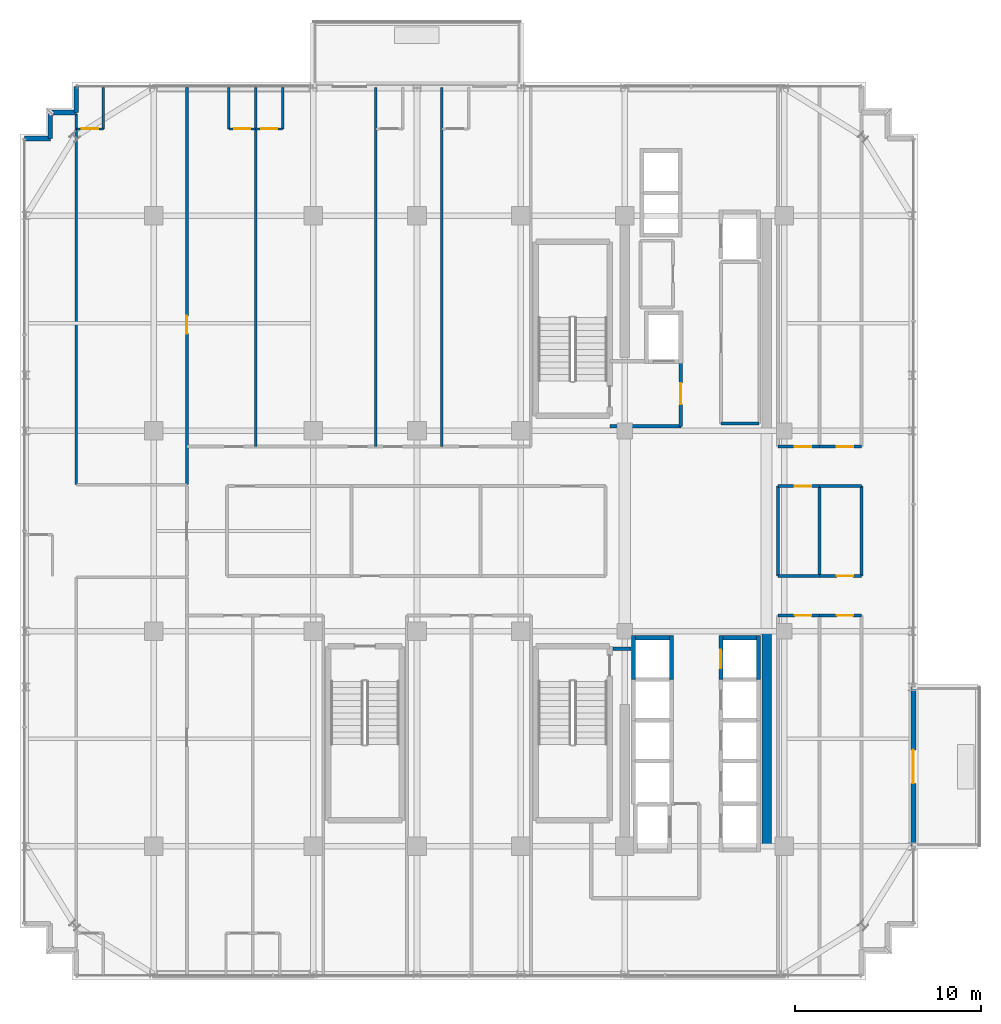
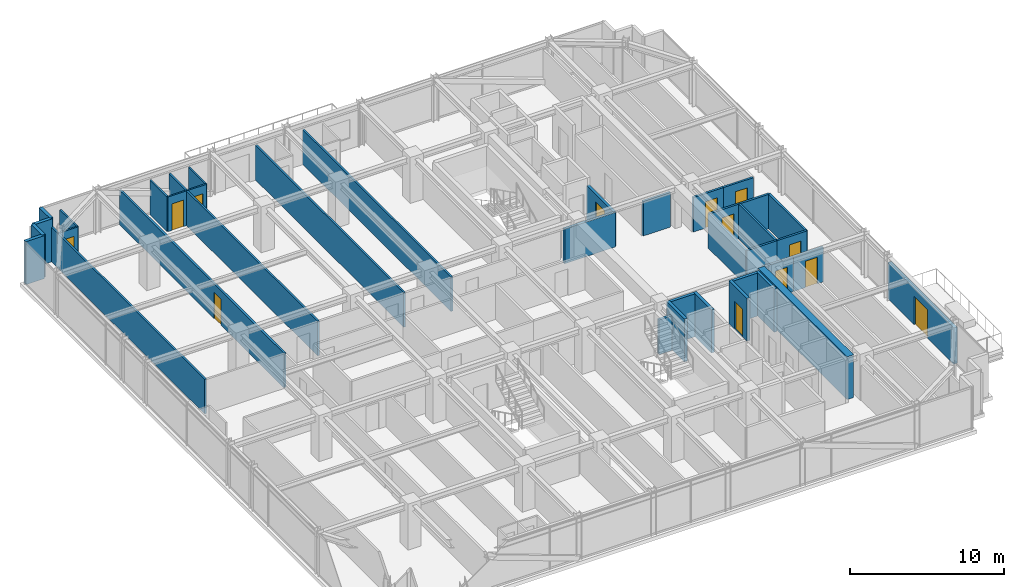
# One storey, part 38 of 43: 38 walls, 13 doors, 13 openings.
"""IFC4 building model written with IfcOpenShell, lengths in metres."""

from ifc_helpers import new_model, si_unit, direction, frame, frame_2d, origin, place, context, subcontext, project, spatial, rectangle, extrude, source, transform, mapped, material, layer, layer_set, type_object, element, fill, save


model = new_model("IFC4")

# Units and contexts
model_context = context("Model", 3, precision=1e-05, world=origin(), true_north=direction((0.0, 1.0)))
body_context = subcontext(model_context, "Body", "Model", "MODEL_VIEW")
ifc_project = project(units=[si_unit("LENGTHUNIT", "METRE"), si_unit("AREAUNIT", "SQUARE_METRE"), si_unit("VOLUMEUNIT", "CUBIC_METRE"), si_unit("PLANEANGLEUNIT", "RADIAN"), si_unit("MASSUNIT", "GRAM", prefix="KILO")], contexts=[model_context])

# Site, building, storey
site_placement = place(None, origin())
site = spatial("IfcSite", under=ifc_project, at=site_placement, CompositionType="ELEMENT")
building_placement = place(site_placement, origin())
building = spatial("IfcBuilding", under=site, at=building_placement, Name="Nahalor Promenade Grand Hotel", CompositionType="ELEMENT")
storey_placement = place(building_placement, frame((0.0, 0.0, 204.89990234375)))
storey = spatial("IfcBuildingStorey", under=building, at=storey_placement, Name="L52", CompositionType="ELEMENT", Elevation=204.89990234375)

# Wall
ifc_material_1 = material(Name="Concrete B-60 (C50/60)", Category="concrete")
ifc_layer_1 = layer(ifc_material_1, 0.5)
ifc_layer_set_1 = layer_set([ifc_layer_1], Name="Concrete B-60 (C50/60)")
wall_type_1 = type_object("IfcWallType", Name="Wall-CoreShear-500", PredefinedType="SHEAR", material=ifc_layer_set_1)
shared_shape_1 = source(origin(), body_context, "Body", "SweptSolid", [
    extrude(rectangle(XDim=11.60009765625, YDim=0.5, at=frame_2d((5.800048828125, 0.0))), origin(), (0.0, 0.0, 1.0), 3.41015625),
])
wall_1_placement = place(storey_placement, frame((16.050048828125, -17.0, 0.0), z_axis=(0.0, 0.0, 1.0), x_axis=(0.0, 1.0, 0.0)))
element("IfcWall", 1, at=wall_1_placement, inside=storey, type_object=wall_type_1, Name="CWALL-L52-SE", PredefinedType="SHEAR", context=body_context, shape_type="MappedRepresentation", body=[
    mapped(shared_shape_1, transform((0.0, 0.0, 0.0), scale=1.0)),
])

# Wall, opening, door
ifc_material_2 = material(Name="Concrete B-50 (C40/50)", Category="concrete")
ifc_layer_2 = layer(ifc_material_2, 0.219970703125)
ifc_layer_set_2 = layer_set([ifc_layer_2], Name="Concrete B-50 (C40/50)")
wall_type_2 = type_object("IfcWallType", Name="Wall-LiftShaft-220", PredefinedType="SHEAR", material=ifc_layer_set_2)
shared_shape_2 = source(origin(), body_context, "Body", "SweptSolid", [
    extrude(rectangle(XDim=2.360107421875, YDim=0.219970703125, at=frame_2d((1.18017578125, 0.0))), origin(), (0.0, 0.0, 1.0), 3.41015625),
])
wall_2_placement = place(storey_placement, frame((13.580078125, -8.0, 0.0), z_axis=(0.0, 0.0, 1.0), x_axis=(0.0, 1.0, 0.0)))
wall_2 = element("IfcWall", 2, at=wall_2_placement, inside=storey, type_object=wall_type_2, Name="L52 Lift PL5 Hoistway Wall W", PredefinedType="SHEAR", context=body_context, shape_type="MappedRepresentation", body=[
    mapped(shared_shape_2, transform((0.0, 0.0, 0.0), scale=1.0)),
])
opening_1_placement = place(wall_2_placement, frame((0.60009765625, 0.0, 0.0)))
opening_1 = element("IfcOpeningElement", 3, at=opening_1_placement, cuts=wall_2, Name="Opening LD-01", PredefinedType="OPENING", context=body_context, shape_type="SweptSolid", body=[
    extrude(rectangle(XDim=1.0, YDim=2.199951171875, at=frame_2d((0.5, 1.10009765625))), frame((0.0, 0.119873046875, 0.0), z_axis=(0.0, -1.0, 0.0), x_axis=(1.0, 0.0, 0.0)), (0.0, 0.0, 1.0), 0.239990234375),
])
ifc_material_3 = material(Name="Steel S355JR", Category="steel")
door_type_1 = type_object("IfcDoorType", Name="Door-LiftLanding-1000", OperationType="DOUBLE_DOOR_SLIDING", PredefinedType="DOOR", material=ifc_material_3)
shared_shape_3 = source(origin(), body_context, "Body", "SweptSolid", [
    extrude(rectangle(XDim=1.0, YDim=2.199951171875, at=frame_2d((0.5, 1.10009765625))), frame((0.0, 0.02490234375, 0.0), z_axis=(0.0, -1.0, 0.0), x_axis=(1.0, 0.0, 0.0)), (0.0, 0.0, 1.0), 0.050048828125),
])
door_1_placement = place(opening_1_placement, origin())
door_1 = element("IfcDoor", 4, at=door_1_placement, inside=storey, type_object=door_type_1, Name="DR-LIFT-PL5-L52", OperationType="DOUBLE_DOOR_SLIDING", OverallHeight=2.199951171875, OverallWidth=1.0, PredefinedType="DOOR", context=body_context, shape_type="MappedRepresentation", body=[
    mapped(shared_shape_3, transform((0.0, 0.0, 0.0), scale=1.0)),
])
fill(opening_1, door_1)

# Walls
for number, where, z_axis, x_axis, name in (
    (5, (15.6201171875, -8.0, 0.0), (0.0, 0.0, 1.0), (0.0, 1.0, 0.0), "L52 Lift PL5 Hoistway Wall E"),
    (6, (8.8798828125, -8.0, 0.0), (0.0, 0.0, 1.0), (0.0, 1.0, 0.0), "L52 Lift PL9 Hoistway Wall W"),
    (7, (10.919921875, -8.0, 0.0), (0.0, 0.0, 1.0), (0.0, 1.0, 0.0), "L52 Lift PL9 Hoistway Wall E"),
):
    element("IfcWall", number, at=place(storey_placement, frame(where, z_axis=z_axis, x_axis=x_axis)), inside=storey, type_object=wall_type_2, Name=name, PredefinedType="SHEAR", context=body_context, shape_type="MappedRepresentation", body=[
        mapped(shared_shape_2, transform((0.0, 0.0, 0.0), scale=1.0)),
    ])
shared_shape_4 = source(origin(), body_context, "Body", "SweptSolid", [
    extrude(rectangle(XDim=1.820068359375, YDim=0.219970703125, at=frame_2d((0.91015625, 0.0))), origin(), (0.0, 0.0, 1.0), 3.41015625),
])
for number, where, z_axis, x_axis, name in (
    (8, (13.68994140625, -5.75, 0.0), (0.0, 0.0, 1.0), (1.0, 0.0, 0.0), "L52 Lift PL5 Hoistway Wall N"),
    (9, (8.989990234375, -5.75, 0.0), (0.0, 0.0, 1.0), (1.0, 0.0, 0.0), "L52 Lift PL9 Hoistway Wall N"),
):
    element("IfcWall", number, at=place(storey_placement, frame(where, z_axis=z_axis, x_axis=x_axis)), inside=storey, type_object=wall_type_2, Name=name, PredefinedType="SHEAR", context=body_context, shape_type="MappedRepresentation", body=[
        mapped(shared_shape_4, transform((0.0, 0.0, 0.0), scale=1.0)),
    ])
ifc_material_4 = material(Name="Concrete B-40 (C32/40)", Category="concrete")
ifc_layer_3 = layer(ifc_material_4, 0.25)
ifc_layer_set_3 = layer_set([ifc_layer_3], Name="Concrete B-40 (C32/40)")
wall_type_3 = type_object("IfcWallType", Name="Wall-BronzePier-250", PredefinedType="STANDARD", material=ifc_layer_set_3)
shared_shape_5 = source(origin(), body_context, "Body", "SweptSolid", [
    extrude(rectangle(XDim=1.39990234375, YDim=0.25, at=frame_2d((0.699951171875, 0.0))), origin(), (0.0, 0.0, 1.0), 3.41015625),
])
for number, where, z_axis, x_axis, name in (
    (10, (-21.159912109375, 22.56005859375, 0.0), (0.0, 0.0, 1.0), (0.0, 1.0, 0.0), "W-L52-SR-09"),
    (11, (-23.9599609375, 21.159912109375, 0.0), (0.0, 0.0, 1.0), (1.0, 0.0, 0.0), "W-L52-SR-12"),
):
    element("IfcWall", number, at=place(storey_placement, frame(where, z_axis=z_axis, x_axis=x_axis)), inside=storey, type_object=wall_type_3, Name=name, PredefinedType="STANDARD", context=body_context, shape_type="MappedRepresentation", body=[
        mapped(shared_shape_5, transform((0.0, 0.0, 0.0), scale=1.0)),
    ])
shared_shape_6 = source(origin(), body_context, "Body", "SweptSolid", [
    extrude(rectangle(XDim=1.400146484375, YDim=0.25, at=frame_2d((0.7001953125, 0.0))), origin(), (0.0, 0.0, 1.0), 3.41015625),
])
for number, where, z_axis, x_axis, name in (
    (12, (-22.56005859375, 22.56005859375, 0.0), (0.0, 0.0, 1.0), (1.0, 0.0, 0.0), "W-L52-SR-10"),
    (13, (-22.56005859375, 21.159912109375, 0.0), (0.0, 0.0, 1.0), (0.0, 1.0, 0.0), "W-L52-SR-11"),
):
    element("IfcWall", number, at=place(storey_placement, frame(where, z_axis=z_axis, x_axis=x_axis)), inside=storey, type_object=wall_type_3, Name=name, PredefinedType="STANDARD", context=body_context, shape_type="MappedRepresentation", body=[
        mapped(shared_shape_6, transform((0.0, 0.0, 0.0), scale=1.0)),
    ])

# Wall, opening, door
ifc_layer_4 = layer(ifc_material_4, 0.260009765625)
ifc_layer_set_4 = layer_set([ifc_layer_4], Name="Concrete B-40 (C32/40)")
wall_type_4 = type_object("IfcWallType", Name="Wall-BalconyWall-260", PredefinedType="STANDARD", material=ifc_layer_set_4)
shared_shape_7 = source(origin(), body_context, "Body", "SweptSolid", [
    extrude(rectangle(XDim=8.60009765625, YDim=0.260009765625, at=frame_2d((4.300048828125, 0.0))), origin(), (0.0, 0.0, 1.0), 2.89013671875),
])
wall_3_placement = place(storey_placement, frame((23.9599609375, -17.0, 0.0), z_axis=(0.0, 0.0, 1.0), x_axis=(0.0, 1.0, 0.0)))
wall_3 = element("IfcWall", 14, at=wall_3_placement, inside=storey, type_object=wall_type_4, Name="W-L52-BALC-E-2", PredefinedType="STANDARD", context=body_context, shape_type="MappedRepresentation", body=[
    mapped(shared_shape_7, transform((0.0, 0.0, 0.0), scale=1.0)),
])
opening_2_placement = place(wall_3_placement, frame((3.39990234375, 0.0, 0.0)))
opening_2 = element("IfcOpeningElement", 15, at=opening_2_placement, cuts=wall_3, Name="Opening D-BC1", PredefinedType="OPENING", context=body_context, shape_type="SweptSolid", body=[
    extrude(rectangle(XDim=1.800048828125, YDim=2.25, at=frame_2d((0.89990234375, 1.125))), frame((0.0, 0.139892578125, 0.0), z_axis=(0.0, -1.0, 0.0), x_axis=(1.0, 0.0, 0.0)), (0.0, 0.0, 1.0), 0.280029296875),
])
ifc_material_5 = material(Name="Anodised Bronze Aluminium EN AW-6063 T6", Category="aluminium")
door_type_2 = type_object("IfcDoorType", Name="Door-BalconySlide-1800", OperationType="DOUBLE_DOOR_SLIDING", PredefinedType="DOOR", material=ifc_material_5)
shared_shape_8 = source(origin(), body_context, "Body", "SweptSolid", [
    extrude(rectangle(XDim=1.800048828125, YDim=2.25, at=frame_2d((0.89990234375, 1.125))), frame((0.0, 0.02490234375, 0.0), z_axis=(0.0, -1.0, 0.0), x_axis=(1.0, 0.0, 0.0)), (0.0, 0.0, 1.0), 0.050048828125),
])
door_2_placement = place(opening_2_placement, frame((1.800048828125, 0.0, 0.0), z_axis=(0.0, 0.0, 1.0), x_axis=(-1.0, 0.0, 0.0)))
door_2 = element("IfcDoor", 16, at=door_2_placement, inside=storey, type_object=door_type_2, Name="DR-L52-BALC-E-2", OperationType="DOUBLE_DOOR_SLIDING", OverallHeight=2.25, OverallWidth=1.800048828125, PredefinedType="DOOR", context=body_context, shape_type="MappedRepresentation", body=[
    mapped(shared_shape_8, transform((0.0, 0.0, 0.0), scale=1.0)),
])
fill(opening_2, door_2)

# Wall
ifc_layer_5 = layer(ifc_material_4, 0.199951171875)
ifc_layer_set_5 = layer_set([ifc_layer_5], Name="Concrete B-40 (C32/40)")
wall_type_5 = type_object("IfcWallType", Name="Wall-PartFire-200", PredefinedType="PARTITIONING", material=ifc_layer_set_5)
shared_shape_9 = source(origin(), body_context, "Body", "SweptSolid", [
    extrude(rectangle(XDim=3.81982421875, YDim=0.199951171875, at=frame_2d((1.909912109375, 0.0))), origin(), (0.0, 0.0, 1.0), 2.75),
])
wall_4_placement = place(storey_placement, frame((7.60009765625, 5.64990234375, 0.0), z_axis=(0.0, 0.0, 1.0), x_axis=(1.0, 0.0, 0.0)))
element("IfcWall", 17, at=wall_4_placement, inside=storey, type_object=wall_type_5, Name="W-L52-FF1-S", PredefinedType="PARTITIONING", context=body_context, shape_type="MappedRepresentation", body=[
    mapped(shared_shape_9, transform((0.0, 0.0, 0.0), scale=1.0)),
])

# Wall, opening, door
shared_shape_10 = source(origin(), body_context, "Body", "SweptSolid", [
    extrude(rectangle(XDim=3.5, YDim=0.199951171875, at=frame_2d((1.75, 0.0))), origin(), (0.0, 0.0, 1.0), 2.75),
])
wall_5_placement = place(storey_placement, frame((11.419921875, 5.64990234375, 0.0), z_axis=(0.0, 0.0, 1.0), x_axis=(0.0, 1.0, 0.0)))
wall_5 = element("IfcWall", 18, at=wall_5_placement, inside=storey, type_object=wall_type_5, Name="W-L52-FF1-E", PredefinedType="PARTITIONING", context=body_context, shape_type="MappedRepresentation", body=[
    mapped(shared_shape_10, transform((0.0, 0.0, 0.0), scale=1.0)),
])
opening_3_placement = place(wall_5_placement, frame((1.175048828125, 0.0, 0.0)))
opening_3 = element("IfcOpeningElement", 19, at=opening_3_placement, cuts=wall_5, Name="Opening D-FF1", PredefinedType="OPENING", context=body_context, shape_type="SweptSolid", body=[
    extrude(rectangle(XDim=1.14990234375, YDim=2.14990234375, at=frame_2d((0.574951171875, 1.074951171875))), frame((0.0, 0.10986328125, 0.0), z_axis=(0.0, -1.0, 0.0), x_axis=(1.0, 0.0, 0.0)), (0.0, 0.0, 1.0), 0.219970703125),
])
door_type_3 = type_object("IfcDoorType", Name="Door-FFLobby-1150", OperationType="NOTDEFINED", PredefinedType="DOOR", material=ifc_material_3)
shared_shape_11 = source(origin(), body_context, "Body", "SweptSolid", [
    extrude(rectangle(XDim=1.14990234375, YDim=2.14990234375, at=frame_2d((0.574951171875, 1.074951171875))), frame((0.0, 0.02490234375, 0.0), z_axis=(0.0, -1.0, 0.0), x_axis=(1.0, 0.0, 0.0)), (0.0, 0.0, 1.0), 0.050048828125),
])
door_3_placement = place(opening_3_placement, frame((1.14990234375, 0.0, 0.0), z_axis=(0.0, 0.0, 1.0), x_axis=(-1.0, 0.0, 0.0)))
door_3 = element("IfcDoor", 20, at=door_3_placement, inside=storey, type_object=door_type_3, Name="DR-L52-FFL1", OperationType="SINGLE_SWING_RIGHT", OverallHeight=2.14990234375, OverallWidth=1.14990234375, PredefinedType="DOOR", context=body_context, shape_type="MappedRepresentation", body=[
    mapped(shared_shape_11, transform((0.0, 0.0, 0.0), scale=1.0)),
])
fill(opening_3, door_3)

# Walls
shared_shape_12 = source(origin(), body_context, "Body", "SweptSolid", [
    extrude(rectangle(XDim=0.969970703125, YDim=0.199951171875, at=frame_2d((0.48486328125, 0.0))), origin(), (0.0, 0.0, 1.0), 2.75),
])
wall_6_placement = place(storey_placement, frame((7.77001953125, -6.35009765625, 0.0), z_axis=(0.0, 0.0, 1.0), x_axis=(1.0, 0.0, 0.0)))
element("IfcWall", 21, at=wall_6_placement, inside=storey, type_object=wall_type_5, Name="W-L52-FF2-N2", PredefinedType="PARTITIONING", context=body_context, shape_type="MappedRepresentation", body=[
    mapped(shared_shape_12, transform((0.0, 0.0, 0.0), scale=1.0)),
])
ifc_material_6 = material(Name="Acoustic Mineral Gypsum", Category="gypsum")
ifc_layer_6 = layer(ifc_material_6, 0.159912109375)
ifc_layer_set_6 = layer_set([ifc_layer_6], Name="Acoustic Mineral Gypsum")
wall_type_6 = type_object("IfcWallType", Name="Wall-PartCorridor-160", PredefinedType="PARTITIONING", material=ifc_layer_set_6)
shared_shape_13 = source(origin(), body_context, "Body", "SweptSolid", [
    extrude(rectangle(XDim=2.0498046875, YDim=0.159912109375, at=frame_2d((1.02490234375, 0.0))), origin(), (0.0, 0.0, 1.0), 2.75),
])
wall_7_placement = place(storey_placement, frame((13.60009765625, 5.800048828125, 0.0), z_axis=(0.0, 0.0, 1.0), x_axis=(1.0, 0.0, 0.0)))
element("IfcWall", 22, at=wall_7_placement, inside=storey, type_object=wall_type_6, Name="W-L52-FRB1-S", PredefinedType="PARTITIONING", context=body_context, shape_type="MappedRepresentation", body=[
    mapped(shared_shape_13, transform((0.0, 0.0, 0.0), scale=1.0)),
])

# Wall, opening, door
shared_shape_14 = source(origin(), body_context, "Body", "SweptSolid", [
    extrude(rectangle(XDim=2.255126953125, YDim=0.159912109375, at=frame_2d((1.12744140625, 0.0))), origin(), (0.0, 0.0, 1.0), 2.75),
])
wall_8_placement = place(storey_placement, frame((16.64990234375, 4.550048828125, 0.0), z_axis=(0.0, 0.0, 1.0), x_axis=(1.0, 0.0, 0.0)))
wall_8 = element("IfcWall", 23, at=wall_8_placement, inside=storey, type_object=wall_type_6, Name="W-L52-ENE1-S", PredefinedType="PARTITIONING", context=body_context, shape_type="MappedRepresentation", body=[
    mapped(shared_shape_14, transform((0.0, 0.0, 0.0), scale=1.0)),
])
opening_4_placement = place(wall_8_placement, frame((0.924072265625, 0.0, 0.0)))
opening_4 = element("IfcOpeningElement", 24, at=opening_4_placement, cuts=wall_8, Name="Opening D-03", PredefinedType="OPENING", context=body_context, shape_type="SweptSolid", body=[
    extrude(rectangle(XDim=0.8798828125, YDim=2.10009765625, at=frame_2d((0.43994140625, 1.050048828125))), frame((0.0, 0.08984375, 0.0), z_axis=(0.0, -1.0, 0.0), x_axis=(1.0, 0.0, 0.0)), (0.0, 0.0, 1.0), 0.179931640625),
])
ifc_material_7 = material(Name="Fire-Rated Timber Composite", Category="wood")
door_type_4 = type_object("IfcDoorType", Name="Door-BathSwing-880", OperationType="NOTDEFINED", PredefinedType="DOOR", material=ifc_material_7)
shared_shape_15 = source(origin(), body_context, "Body", "SweptSolid", [
    extrude(rectangle(XDim=0.8798828125, YDim=2.10009765625, at=frame_2d((0.43994140625, 1.050048828125))), frame((0.0, 0.02490234375, 0.0), z_axis=(0.0, -1.0, 0.0), x_axis=(1.0, 0.0, 0.0)), (0.0, 0.0, 1.0), 0.050048828125),
])
door_4_placement = place(opening_4_placement, origin())
door_4 = element("IfcDoor", 25, at=door_4_placement, inside=storey, type_object=door_type_4, Name="DR-L52-ENE1", OperationType="SINGLE_SWING_RIGHT", OverallHeight=2.10009765625, OverallWidth=0.8798828125, PredefinedType="DOOR", context=body_context, shape_type="MappedRepresentation", body=[
    mapped(shared_shape_15, transform((0.0, 0.0, 0.0), scale=1.0)),
])
fill(opening_4, door_4)

wall_9_placement = place(storey_placement, frame((16.64990234375, -4.550048828125, 0.0), z_axis=(0.0, 0.0, 1.0), x_axis=(1.0, 0.0, 0.0)))
wall_9 = element("IfcWall", 26, at=wall_9_placement, inside=storey, type_object=wall_type_6, Name="W-L52-ESE1-N", PredefinedType="PARTITIONING", context=body_context, shape_type="MappedRepresentation", body=[
    mapped(shared_shape_14, transform((0.0, 0.0, 0.0), scale=1.0)),
])
opening_5_placement = place(wall_9_placement, frame((0.924072265625, 0.0, 0.0)))
opening_5 = element("IfcOpeningElement", 27, at=opening_5_placement, cuts=wall_9, Name="Opening D-03", PredefinedType="OPENING", context=body_context, shape_type="SweptSolid", body=[
    extrude(rectangle(XDim=0.8798828125, YDim=2.10009765625, at=frame_2d((0.43994140625, 1.050048828125))), frame((0.0, 0.08984375, 0.0), z_axis=(0.0, -1.0, 0.0), x_axis=(1.0, 0.0, 0.0)), (0.0, 0.0, 1.0), 0.179931640625),
])
door_5_placement = place(opening_5_placement, frame((0.8798828125, 0.0, 0.0), z_axis=(0.0, 0.0, 1.0), x_axis=(-1.0, 0.0, 0.0)))
door_5 = element("IfcDoor", 28, at=door_5_placement, inside=storey, type_object=door_type_4, Name="DR-L52-ESE1", OperationType="SINGLE_SWING_RIGHT", OverallHeight=2.10009765625, OverallWidth=0.8798828125, PredefinedType="DOOR", context=body_context, shape_type="MappedRepresentation", body=[
    mapped(shared_shape_15, transform((0.0, 0.0, 0.0), scale=1.0)),
])
fill(opening_5, door_5)

# Wall
wall_10_placement = place(storey_placement, frame((16.64990234375, -2.419921875, 0.0), z_axis=(0.0, 0.0, 1.0), x_axis=(1.0, 0.0, 0.0)))
element("IfcWall", 29, at=wall_10_placement, inside=storey, type_object=wall_type_6, Name="W-L52-ECW1-S", PredefinedType="PARTITIONING", context=body_context, shape_type="MappedRepresentation", body=[
    mapped(shared_shape_14, transform((0.0, 0.0, 0.0), scale=1.0)),
])

# Wall, opening, door
wall_11_placement = place(storey_placement, frame((16.64990234375, 2.419921875, 0.0), z_axis=(0.0, 0.0, 1.0), x_axis=(1.0, 0.0, 0.0)))
wall_11 = element("IfcWall", 30, at=wall_11_placement, inside=storey, type_object=wall_type_6, Name="W-L52-ECW1-N", PredefinedType="PARTITIONING", context=body_context, shape_type="MappedRepresentation", body=[
    mapped(shared_shape_14, transform((0.0, 0.0, 0.0), scale=1.0)),
])
opening_6_placement = place(wall_11_placement, frame((0.924072265625, 0.0, 0.0)))
opening_6 = element("IfcOpeningElement", 31, at=opening_6_placement, cuts=wall_11, Name="Opening D-03", PredefinedType="OPENING", context=body_context, shape_type="SweptSolid", body=[
    extrude(rectangle(XDim=0.8798828125, YDim=2.10009765625, at=frame_2d((0.43994140625, 1.050048828125))), frame((0.0, 0.08984375, 0.0), z_axis=(0.0, -1.0, 0.0), x_axis=(1.0, 0.0, 0.0)), (0.0, 0.0, 1.0), 0.179931640625),
])
door_6_placement = place(opening_6_placement, frame((0.8798828125, 0.0, 0.0), z_axis=(0.0, 0.0, 1.0), x_axis=(-1.0, 0.0, 0.0)))
door_6 = element("IfcDoor", 32, at=door_6_placement, inside=storey, type_object=door_type_4, Name="DR-L52-ECW1", OperationType="SINGLE_SWING_LEFT", OverallHeight=2.10009765625, OverallWidth=0.8798828125, PredefinedType="DOOR", context=body_context, shape_type="MappedRepresentation", body=[
    mapped(shared_shape_15, transform((0.0, 0.0, 0.0), scale=1.0)),
])
fill(opening_6, door_6)

shared_shape_16 = source(origin(), body_context, "Body", "SweptSolid", [
    extrude(rectangle(XDim=2.2548828125, YDim=0.159912109375, at=frame_2d((1.12744140625, 0.0))), origin(), (0.0, 0.0, 1.0), 2.75),
])
wall_12_placement = place(storey_placement, frame((18.905029296875, 4.550048828125, 0.0), z_axis=(0.0, 0.0, 1.0), x_axis=(1.0, 0.0, 0.0)))
wall_12 = element("IfcWall", 33, at=wall_12_placement, inside=storey, type_object=wall_type_6, Name="W-L52-ENE2-S", PredefinedType="PARTITIONING", context=body_context, shape_type="MappedRepresentation", body=[
    mapped(shared_shape_16, transform((0.0, 0.0, 0.0), scale=1.0)),
])
opening_7_placement = place(wall_12_placement, frame((0.924072265625, 0.0, 0.0)))
opening_7 = element("IfcOpeningElement", 34, at=opening_7_placement, cuts=wall_12, Name="Opening D-03", PredefinedType="OPENING", context=body_context, shape_type="SweptSolid", body=[
    extrude(rectangle(XDim=0.8798828125, YDim=2.10009765625, at=frame_2d((0.43994140625, 1.050048828125))), frame((0.0, 0.08984375, 0.0), z_axis=(0.0, -1.0, 0.0), x_axis=(1.0, 0.0, 0.0)), (0.0, 0.0, 1.0), 0.179931640625),
])
door_7_placement = place(opening_7_placement, origin())
door_7 = element("IfcDoor", 35, at=door_7_placement, inside=storey, type_object=door_type_4, Name="DR-L52-ENE2", OperationType="SINGLE_SWING_LEFT", OverallHeight=2.10009765625, OverallWidth=0.8798828125, PredefinedType="DOOR", context=body_context, shape_type="MappedRepresentation", body=[
    mapped(shared_shape_15, transform((0.0, 0.0, 0.0), scale=1.0)),
])
fill(opening_7, door_7)

wall_13_placement = place(storey_placement, frame((18.905029296875, -4.550048828125, 0.0), z_axis=(0.0, 0.0, 1.0), x_axis=(1.0, 0.0, 0.0)))
wall_13 = element("IfcWall", 36, at=wall_13_placement, inside=storey, type_object=wall_type_6, Name="W-L52-ESE2-N", PredefinedType="PARTITIONING", context=body_context, shape_type="MappedRepresentation", body=[
    mapped(shared_shape_16, transform((0.0, 0.0, 0.0), scale=1.0)),
])
opening_8_placement = place(wall_13_placement, frame((0.924072265625, 0.0, 0.0)))
opening_8 = element("IfcOpeningElement", 37, at=opening_8_placement, cuts=wall_13, Name="Opening D-03", PredefinedType="OPENING", context=body_context, shape_type="SweptSolid", body=[
    extrude(rectangle(XDim=0.8798828125, YDim=2.10009765625, at=frame_2d((0.43994140625, 1.050048828125))), frame((0.0, 0.08984375, 0.0), z_axis=(0.0, -1.0, 0.0), x_axis=(1.0, 0.0, 0.0)), (0.0, 0.0, 1.0), 0.179931640625),
])
door_8_placement = place(opening_8_placement, frame((0.8798828125, 0.0, 0.0), z_axis=(0.0, 0.0, 1.0), x_axis=(-1.0, 0.0, 0.0)))
door_8 = element("IfcDoor", 38, at=door_8_placement, inside=storey, type_object=door_type_4, Name="DR-L52-ESE2", OperationType="SINGLE_SWING_LEFT", OverallHeight=2.10009765625, OverallWidth=0.8798828125, PredefinedType="DOOR", context=body_context, shape_type="MappedRepresentation", body=[
    mapped(shared_shape_15, transform((0.0, 0.0, 0.0), scale=1.0)),
])
fill(opening_8, door_8)

wall_14_placement = place(storey_placement, frame((18.905029296875, -2.419921875, 0.0), z_axis=(0.0, 0.0, 1.0), x_axis=(1.0, 0.0, 0.0)))
wall_14 = element("IfcWall", 39, at=wall_14_placement, inside=storey, type_object=wall_type_6, Name="W-L52-ECW2-S", PredefinedType="PARTITIONING", context=body_context, shape_type="MappedRepresentation", body=[
    mapped(shared_shape_16, transform((0.0, 0.0, 0.0), scale=1.0)),
])
opening_9_placement = place(wall_14_placement, frame((0.924072265625, 0.0, 0.0)))
opening_9 = element("IfcOpeningElement", 40, at=opening_9_placement, cuts=wall_14, Name="Opening D-03", PredefinedType="OPENING", context=body_context, shape_type="SweptSolid", body=[
    extrude(rectangle(XDim=0.8798828125, YDim=2.10009765625, at=frame_2d((0.43994140625, 1.050048828125))), frame((0.0, 0.08984375, 0.0), z_axis=(0.0, -1.0, 0.0), x_axis=(1.0, 0.0, 0.0)), (0.0, 0.0, 1.0), 0.179931640625),
])
door_9_placement = place(opening_9_placement, origin())
door_9 = element("IfcDoor", 41, at=door_9_placement, inside=storey, type_object=door_type_4, Name="DR-L52-ECW2", OperationType="SINGLE_SWING_RIGHT", OverallHeight=2.10009765625, OverallWidth=0.8798828125, PredefinedType="DOOR", context=body_context, shape_type="MappedRepresentation", body=[
    mapped(shared_shape_15, transform((0.0, 0.0, 0.0), scale=1.0)),
])
fill(opening_9, door_9)

# Wall
wall_15_placement = place(storey_placement, frame((18.905029296875, 2.419921875, 0.0), z_axis=(0.0, 0.0, 1.0), x_axis=(1.0, 0.0, 0.0)))
element("IfcWall", 42, at=wall_15_placement, inside=storey, type_object=wall_type_6, Name="W-L52-ECW2-N", PredefinedType="PARTITIONING", context=body_context, shape_type="MappedRepresentation", body=[
    mapped(shared_shape_16, transform((0.0, 0.0, 0.0), scale=1.0)),
])

# Wall, opening, door
shared_shape_17 = source(origin(), body_context, "Body", "SweptSolid", [
    extrude(rectangle(XDim=21.39990234375, YDim=0.159912109375, at=frame_2d((10.699951171875, 0.0))), origin(), (0.0, 0.0, 1.0), 2.75),
])
wall_16_placement = place(storey_placement, frame((-15.199951171875, 2.5, 0.0), z_axis=(0.0, 0.0, 1.0), x_axis=(0.0, 1.0, 0.0)))
wall_16 = element("IfcWall", 43, at=wall_16_placement, inside=storey, type_object=wall_type_6, Name="W-L52-ZNW-E", PredefinedType="PARTITIONING", context=body_context, shape_type="MappedRepresentation", body=[
    mapped(shared_shape_17, transform((0.0, 0.0, 0.0), scale=1.0)),
])
opening_10_placement = place(wall_16_placement, frame((8.14990234375, 0.0, 0.0)))
opening_10 = element("IfcOpeningElement", 44, at=opening_10_placement, cuts=wall_16, Name="Opening D-01", PredefinedType="OPENING", context=body_context, shape_type="SweptSolid", body=[
    extrude(rectangle(XDim=0.949951171875, YDim=2.10009765625, at=frame_2d((0.47509765625, 1.050048828125))), frame((0.0, 0.08984375, 0.0), z_axis=(0.0, -1.0, 0.0), x_axis=(1.0, 0.0, 0.0)), (0.0, 0.0, 1.0), 0.179931640625),
])
door_type_5 = type_object("IfcDoorType", Name="Door-GuestEntry-950", OperationType="NOTDEFINED", PredefinedType="DOOR", material=ifc_material_7)
shared_shape_18 = source(origin(), body_context, "Body", "SweptSolid", [
    extrude(rectangle(XDim=0.949951171875, YDim=2.10009765625, at=frame_2d((0.47509765625, 1.050048828125))), frame((0.0, 0.02490234375, 0.0), z_axis=(0.0, -1.0, 0.0), x_axis=(1.0, 0.0, 0.0)), (0.0, 0.0, 1.0), 0.050048828125),
])
door_10_placement = place(opening_10_placement, origin())
door_10 = element("IfcDoor", 45, at=door_10_placement, inside=storey, type_object=door_type_5, Name="DR-L52-NW0-ENT", OperationType="SINGLE_SWING_LEFT", OverallHeight=2.10009765625, OverallWidth=0.949951171875, PredefinedType="DOOR", context=body_context, shape_type="MappedRepresentation", body=[
    mapped(shared_shape_18, transform((0.0, 0.0, 0.0), scale=1.0)),
])
fill(opening_10, door_10)

# Wall
ifc_layer_7 = layer(ifc_material_6, 0.139892578125)
ifc_layer_set_7 = layer_set([ifc_layer_7], Name="Acoustic Mineral Gypsum")
wall_type_7 = type_object("IfcWallType", Name="Wall-PartSuite-140", PredefinedType="PARTITIONING", material=ifc_layer_set_7)
shared_shape_19 = source(origin(), body_context, "Body", "SweptSolid", [
    extrude(rectangle(XDim=19.97998046875, YDim=0.139892578125, at=frame_2d((9.989990234375, 0.0))), origin(), (0.0, 0.0, 1.0), 2.75),
])
wall_17_placement = place(storey_placement, frame((-21.159912109375, 2.5, 0.0), z_axis=(0.0, 0.0, 1.0), x_axis=(0.0, 1.0, 0.0)))
element("IfcWall", 46, at=wall_17_placement, inside=storey, type_object=wall_type_7, Name="W-L52-ZNW-W", PredefinedType="PARTITIONING", context=body_context, shape_type="MappedRepresentation", body=[
    mapped(shared_shape_19, transform((0.0, 0.0, 0.0), scale=1.0)),
])

# Wall, opening, door
ifc_layer_8 = layer(ifc_material_6, 0.1201171875)
ifc_layer_set_8 = layer_set([ifc_layer_8], Name="Acoustic Mineral Gypsum")
wall_type_8 = type_object("IfcWallType", Name="Wall-PartBath-120", PredefinedType="PARTITIONING", material=ifc_layer_set_8)
shared_shape_20 = source(origin(), body_context, "Body", "SweptSolid", [
    extrude(rectangle(XDim=1.449951171875, YDim=0.1201171875, at=frame_2d((0.72509765625, 0.0))), origin(), (0.0, 0.0, 1.0), 2.75),
])
wall_18_placement = place(storey_placement, frame((-21.159912109375, 21.679931640625, 0.0), z_axis=(0.0, 0.0, 1.0), x_axis=(1.0, 0.0, 0.0)))
wall_18 = element("IfcWall", 47, at=wall_18_placement, inside=storey, type_object=wall_type_8, Name="W-L52-NW0-BH", PredefinedType="PARTITIONING", context=body_context, shape_type="MappedRepresentation", body=[
    mapped(shared_shape_20, transform((0.0, 0.0, 0.0), scale=1.0)),
])
opening_11_placement = place(wall_18_placement, frame((0.284912109375, 0.0, 0.0)))
opening_11 = element("IfcOpeningElement", 48, at=opening_11_placement, cuts=wall_18, Name="Opening D-03", PredefinedType="OPENING", context=body_context, shape_type="SweptSolid", body=[
    extrude(rectangle(XDim=0.8798828125, YDim=2.10009765625, at=frame_2d((0.43994140625, 1.050048828125))), frame((0.0, 0.070068359375, 0.0), z_axis=(0.0, -1.0, 0.0), x_axis=(1.0, 0.0, 0.0)), (0.0, 0.0, 1.0), 0.14013671875),
])
door_11_placement = place(opening_11_placement, origin())
door_11 = element("IfcDoor", 49, at=door_11_placement, inside=storey, type_object=door_type_4, Name="DR-L52-NW0-BATH", OperationType="SINGLE_SWING_RIGHT", OverallHeight=2.10009765625, OverallWidth=0.8798828125, PredefinedType="DOOR", context=body_context, shape_type="MappedRepresentation", body=[
    mapped(shared_shape_15, transform((0.0, 0.0, 0.0), scale=1.0)),
])
fill(opening_11, door_11)

wall_19_placement = place(storey_placement, frame((-12.94189453125, 21.679931640625, 0.0), z_axis=(0.0, 0.0, 1.0), x_axis=(1.0, 0.0, 0.0)))
wall_19 = element("IfcWall", 50, at=wall_19_placement, inside=storey, type_object=wall_type_8, Name="W-L52-N1-BH", PredefinedType="PARTITIONING", context=body_context, shape_type="MappedRepresentation", body=[
    mapped(shared_shape_20, transform((0.0, 0.0, 0.0), scale=1.0)),
])
opening_12_placement = place(wall_19_placement, frame((0.284912109375, 0.0, 0.0)))
opening_12 = element("IfcOpeningElement", 51, at=opening_12_placement, cuts=wall_19, Name="Opening D-03", PredefinedType="OPENING", context=body_context, shape_type="SweptSolid", body=[
    extrude(rectangle(XDim=0.8798828125, YDim=2.10009765625, at=frame_2d((0.43994140625, 1.050048828125))), frame((0.0, 0.070068359375, 0.0), z_axis=(0.0, -1.0, 0.0), x_axis=(1.0, 0.0, 0.0)), (0.0, 0.0, 1.0), 0.14013671875),
])
door_12_placement = place(opening_12_placement, origin())
door_12 = element("IfcDoor", 52, at=door_12_placement, inside=storey, type_object=door_type_4, Name="DR-L52-N1-BATH", OperationType="SINGLE_SWING_RIGHT", OverallHeight=2.10009765625, OverallWidth=0.8798828125, PredefinedType="DOOR", context=body_context, shape_type="MappedRepresentation", body=[
    mapped(shared_shape_15, transform((0.0, 0.0, 0.0), scale=1.0)),
])
fill(opening_12, door_12)

wall_20_placement = place(storey_placement, frame((-11.491943359375, 21.679931640625, 0.0), z_axis=(0.0, 0.0, 1.0), x_axis=(1.0, 0.0, 0.0)))
wall_20 = element("IfcWall", 53, at=wall_20_placement, inside=storey, type_object=wall_type_8, Name="W-L52-N2-BH", PredefinedType="PARTITIONING", context=body_context, shape_type="MappedRepresentation", body=[
    mapped(shared_shape_20, transform((0.0, 0.0, 0.0), scale=1.0)),
])
opening_13_placement = place(wall_20_placement, frame((0.284912109375, 0.0, 0.0)))
opening_13 = element("IfcOpeningElement", 54, at=opening_13_placement, cuts=wall_20, Name="Opening D-03", PredefinedType="OPENING", context=body_context, shape_type="SweptSolid", body=[
    extrude(rectangle(XDim=0.8798828125, YDim=2.10009765625, at=frame_2d((0.43994140625, 1.050048828125))), frame((0.0, 0.070068359375, 0.0), z_axis=(0.0, -1.0, 0.0), x_axis=(1.0, 0.0, 0.0)), (0.0, 0.0, 1.0), 0.14013671875),
])
door_13_placement = place(opening_13_placement, origin())
door_13 = element("IfcDoor", 55, at=door_13_placement, inside=storey, type_object=door_type_4, Name="DR-L52-N2-BATH", OperationType="SINGLE_SWING_RIGHT", OverallHeight=2.10009765625, OverallWidth=0.8798828125, PredefinedType="DOOR", context=body_context, shape_type="MappedRepresentation", body=[
    mapped(shared_shape_15, transform((0.0, 0.0, 0.0), scale=1.0)),
])
fill(opening_13, door_13)

# Walls
shared_shape_21 = source(origin(), body_context, "Body", "SweptSolid", [
    extrude(rectangle(XDim=2.219970703125, YDim=0.1201171875, at=frame_2d((1.10986328125, 0.0))), origin(), (0.0, 0.0, 1.0), 2.75),
])
for number, where, z_axis, x_axis, name in (
    (56, (-19.7099609375, 21.679931640625, 0.0), (0.0, 0.0, 1.0), (0.0, 1.0, 0.0), "W-L52-NW0-BV"),
    (57, (-12.94189453125, 21.679931640625, 0.0), (0.0, 0.0, 1.0), (0.0, 1.0, 0.0), "W-L52-N1-BV"),
    (58, (-10.0419921875, 21.679931640625, 0.0), (0.0, 0.0, 1.0), (0.0, 1.0, 0.0), "W-L52-N2-BV"),
):
    element("IfcWall", number, at=place(storey_placement, frame(where, z_axis=z_axis, x_axis=x_axis)), inside=storey, type_object=wall_type_8, Name=name, PredefinedType="PARTITIONING", context=body_context, shape_type="MappedRepresentation", body=[
        mapped(shared_shape_21, transform((0.0, 0.0, 0.0), scale=1.0)),
    ])
shared_shape_22 = source(origin(), body_context, "Body", "SweptSolid", [
    extrude(rectangle(XDim=19.349853515625, YDim=0.139892578125, at=frame_2d((9.6748046875, 0.0))), origin(), (0.0, 0.0, 1.0), 2.75),
])
for number, where, z_axis, x_axis, name in (
    (59, (-11.491943359375, 4.550048828125, 0.0), (0.0, 0.0, 1.0), (0.0, 1.0, 0.0), "W-L52-NP-1"),
    (60, (-5.012939453125, 4.550048828125, 0.0), (0.0, 0.0, 1.0), (0.0, 1.0, 0.0), "W-L52-NP-2"),
    (61, (-1.462890625, 4.550048828125, 0.0), (0.0, 0.0, 1.0), (0.0, 1.0, 0.0), "W-L52-NP-3"),
):
    element("IfcWall", number, at=place(storey_placement, frame(where, z_axis=z_axis, x_axis=x_axis)), inside=storey, type_object=wall_type_7, Name=name, PredefinedType="PARTITIONING", context=body_context, shape_type="MappedRepresentation", body=[
        mapped(shared_shape_22, transform((0.0, 0.0, 0.0), scale=1.0)),
    ])
shared_shape_23 = source(origin(), body_context, "Body", "SweptSolid", [
    extrude(rectangle(XDim=4.83984375, YDim=0.159912109375, at=frame_2d((2.419921875, 0.0))), origin(), (0.0, 0.0, 1.0), 2.75),
])
for number, where, z_axis, x_axis, name in (
    (62, (16.64990234375, -2.419921875, 0.0), (0.0, 0.0, 1.0), (0.0, 1.0, 0.0), "W-L52-ECW1-W"),
    (63, (18.905029296875, -2.419921875, 0.0), (0.0, 0.0, 1.0), (0.0, 1.0, 0.0), "W-L52-ECW1-E"),
    (64, (21.159912109375, -2.419921875, 0.0), (0.0, 0.0, 1.0), (0.0, 1.0, 0.0), "W-L52-ECW2-E"),
):
    element("IfcWall", number, at=place(storey_placement, frame(where, z_axis=z_axis, x_axis=x_axis)), inside=storey, type_object=wall_type_6, Name=name, PredefinedType="PARTITIONING", context=body_context, shape_type="MappedRepresentation", body=[
        mapped(shared_shape_23, transform((0.0, 0.0, 0.0), scale=1.0)),
    ])

save(model, "model.ifc")
